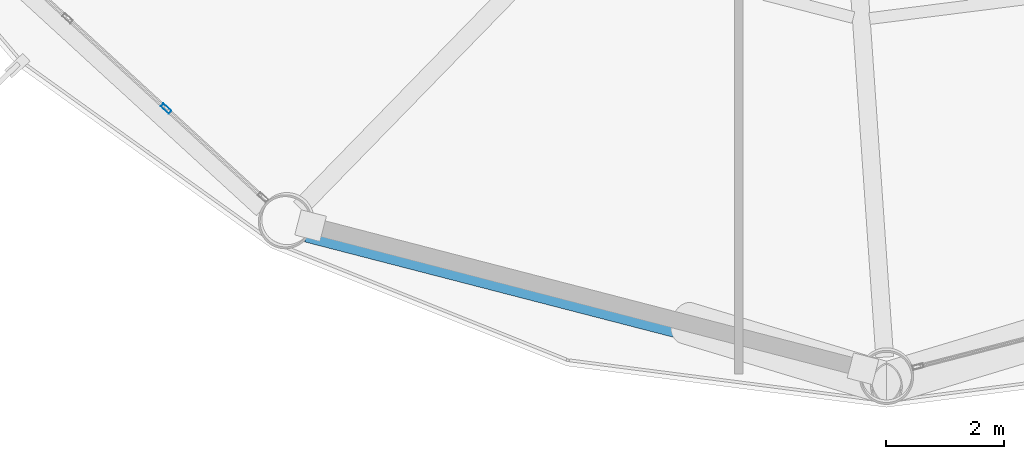
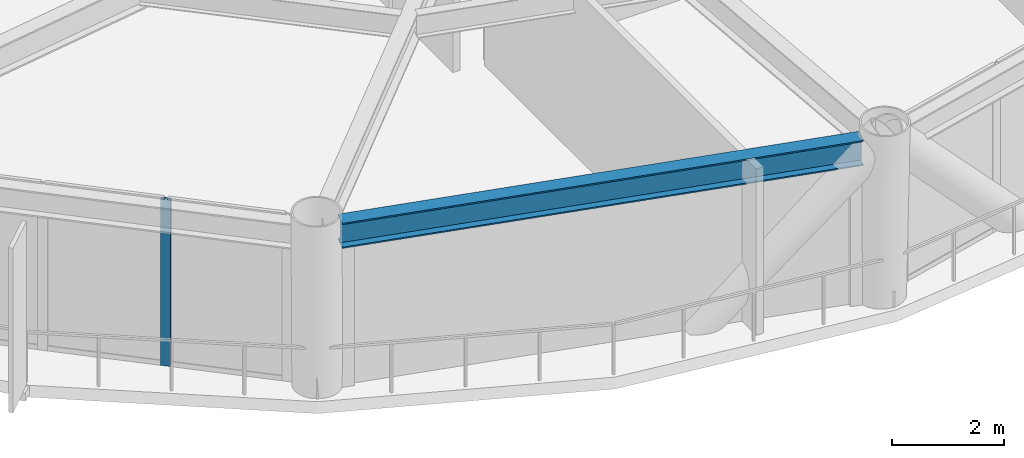
# One storey, part 3 of 25: 1 beam, 1 member, 1 element without a shape of its own.
"""IFC4 building model written with IfcOpenShell, lengths in metres."""

from ifc_helpers import new_model, si_unit, direction, frame, origin, origin_2d, place, context, subcontext, project, spatial, hollow_rectangle, i_section, extrude, material, layer, layer_set, material_profile, profile_set, type_object, element, aggregate, save


model = new_model("IFC4")

# Units and contexts
model_context = context("Model", 3, precision=1e-05, world=origin(), true_north=direction((0.0, 1.0)))
body_context = subcontext(model_context, "Body", "Model", "MODEL_VIEW")
ifc_project = project(units=[si_unit("LENGTHUNIT", "METRE"), si_unit("AREAUNIT", "SQUARE_METRE"), si_unit("VOLUMEUNIT", "CUBIC_METRE"), si_unit("PLANEANGLEUNIT", "RADIAN"), si_unit("MASSUNIT", "GRAM", prefix="KILO")], contexts=[model_context])

# Site, building, storey
site_placement = place(None, origin())
site = spatial("IfcSite", under=ifc_project, at=site_placement, CompositionType="ELEMENT")
building_placement = place(site_placement, origin())
building = spatial("IfcBuilding", under=site, at=building_placement, Name="Varnakorn Sky Granary", CompositionType="ELEMENT")
storey_placement = place(building_placement, frame((0.0, 0.0, 35.39990234375)))
storey = spatial("IfcBuildingStorey", under=building, at=storey_placement, Name="L08", CompositionType="ELEMENT", Elevation=35.39990234375)

# Beam
ifc_material_1 = material(Name="Steel S355JR", Category="steel")
ifc_material_profile_1 = material_profile(ifc_material_1, i_section(OverallWidth=0.300048828125, OverallDepth=0.550048828125, WebThickness=0.014892578125, FlangeThickness=0.029052734375, at=origin_2d()), Name="HE 550 B")
ifc_profile_set_1 = profile_set([ifc_material_profile_1], Name="Steel S355JR")
beam_type = type_object("IfcBeamType", Name="BM-SPD-Z1", PredefinedType="SPANDREL", material=ifc_profile_set_1)
beam_placement = place(storey_placement, frame((-11.3076171875, -16.346923828125, 3.364990234375), z_axis=(0.968158811883, -0.250336803073, 0.0), x_axis=(0.250336803073, 0.968158811883, 0.0)))
element("IfcBeam", 1, at=beam_placement, inside=storey, type_object=beam_type, Name="Perimeter Spandrel Ring Beam RB09 L08", PredefinedType="SPANDREL", context=body_context, shape_type="SweptSolid", body=[
    extrude(i_section(OverallWidth=0.300048828125, OverallDepth=0.550048828125, WebThickness=0.014892578125, FlangeThickness=0.029052734375, at=origin_2d()), origin(), (0.0, 0.0, 1.0), 9.688232421875),
])

# Curtain wall, member
ifc_material_2 = material(Name="Anodised Bronze Aluminium Alloy 6063-T6", Category="aluminium")
ifc_layer = layer(ifc_material_2, 0.18994140625, Name="Anodised Bronze Aluminium Alloy 6063-T6")
ifc_layer_set = layer_set([ifc_layer], Name="Anodised Bronze Aluminium Alloy 6063-T6")
curtain_wall_type = type_object("IfcCurtainWallType", Name="CW-FRM-1", PredefinedType="USERDEFINED", material=ifc_layer_set)
curtain_wall_placement = place(storey_placement, origin())
curtain_wall = element("IfcCurtainWall", 2, at=curtain_wall_placement, inside=storey, type_object=curtain_wall_type, Name="Unitised Curtain Wall CW3 CW-L08-B08", ObjectType="CURTAIN WALL", PredefinedType="USERDEFINED")
ifc_material_profile_2 = material_profile(ifc_material_2, hollow_rectangle(XDim=0.070068359375, YDim=0.18505859375, WallThickness=0.00390625, at=origin_2d()), Name="ALU MULL 70x185")
ifc_profile_set_2 = profile_set([ifc_material_profile_2], Name="Anodised Bronze Aluminium Alloy 6063-T6")
member_type = type_object("IfcMemberType", Name="CW-FRM-1-MULL", PredefinedType="MULLION", material=ifc_profile_set_2)
member_placement = place(storey_placement, frame((-13.691650390625, -14.236083984375, 0.0), z_axis=(0.0, 0.0, 1.0), x_axis=(-0.675878356504, -0.737013193375, 0.0)))
member = element("IfcMember", 3, at=member_placement, type_object=member_type, Name="CW3 mullion 2", PredefinedType="MULLION", context=body_context, shape_type="SweptSolid", body=[
    extrude(hollow_rectangle(XDim=0.070068359375, YDim=0.18505859375, WallThickness=0.00390625, at=origin_2d()), origin(), (0.0, 0.0, 1.0), 3.64013671875),
])
aggregate(curtain_wall, [member])

save(model, "model.ifc")
